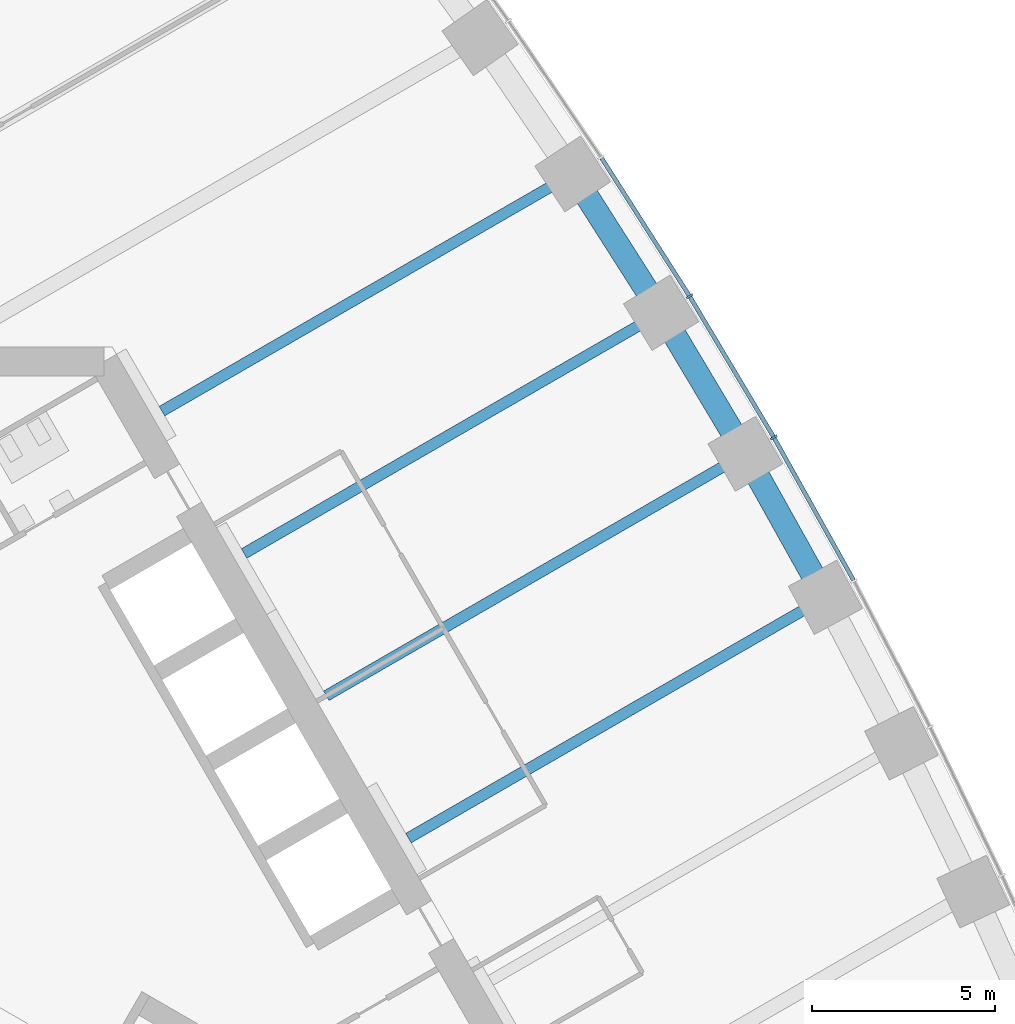
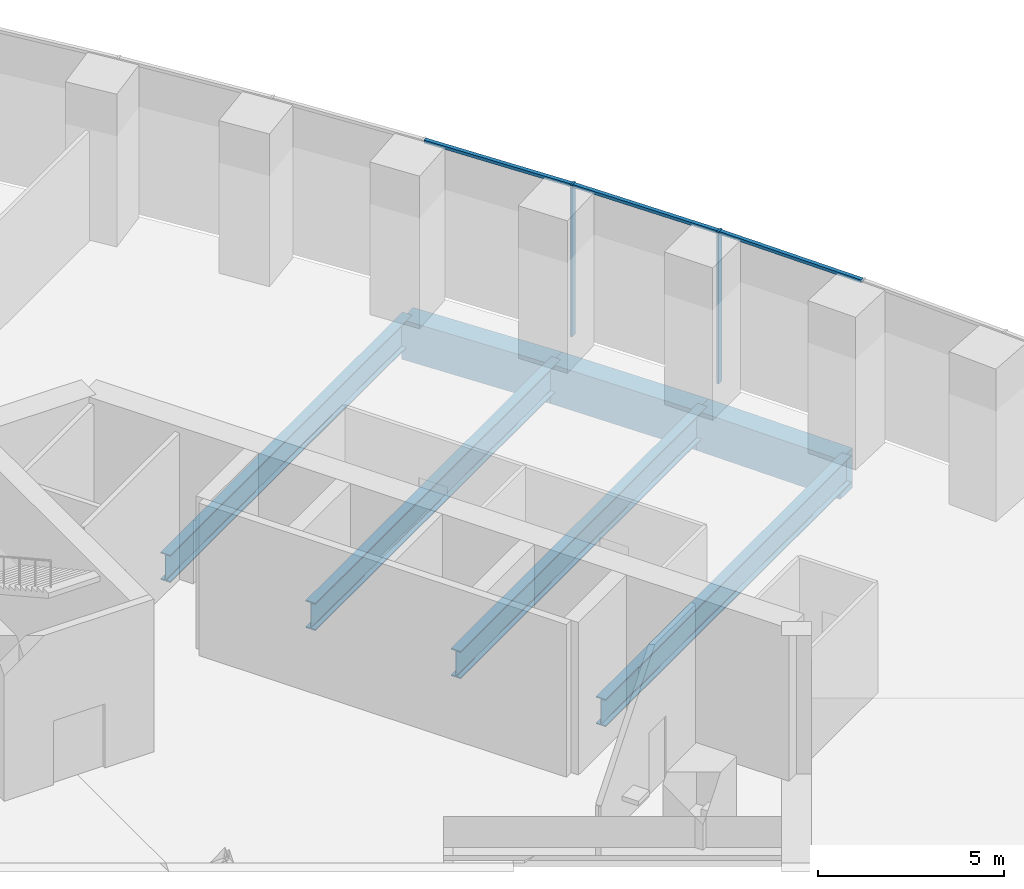
# One storey, part 9 of 21: 7 beams, 5 members, 1 element without a shape of its own.
"""IFC4 building model written with IfcOpenShell, lengths in metres."""

from ifc_helpers import new_model, si_unit, direction, frame, origin, origin_2d, place, context, subcontext, project, spatial, rectangle, i_section, extrude, material, material_profile, profile_set, type_object, element, aggregate, save


model = new_model("IFC4")

# Units and contexts
model_context = context("Model", 3, precision=1e-05, world=origin(), true_north=direction((0.0, 1.0)))
body_context = subcontext(model_context, "Body", "Model", "MODEL_VIEW")
ifc_project = project(units=[si_unit("LENGTHUNIT", "METRE"), si_unit("AREAUNIT", "SQUARE_METRE"), si_unit("VOLUMEUNIT", "CUBIC_METRE"), si_unit("PLANEANGLEUNIT", "RADIAN"), si_unit("MASSUNIT", "GRAM", prefix="KILO")], contexts=[model_context])

# Site, building, storey
site_placement = place(None, origin())
site = spatial("IfcSite", under=ifc_project, at=site_placement, CompositionType="ELEMENT")
building_placement = place(site_placement, origin())
building = spatial("IfcBuilding", under=site, at=building_placement, Name="Trefoil Bronze Tower", CompositionType="ELEMENT")
storey_placement = place(building_placement, frame((0.0, 0.0, 11.5)))
storey = spatial("IfcBuildingStorey", under=building, at=storey_placement, Name="L02", CompositionType="ELEMENT", Elevation=11.5)

# Curtain wall, members
ifc_material_1 = material(Name="Tinted solar-control glass", Category="glass")
curtain_wall_type = type_object("IfcCurtainWallType", Name="Bronze podium storefront curtain wall", PredefinedType="USERDEFINED", material=ifc_material_1)
curtain_wall_placement = place(storey_placement, origin())
curtain_wall = element("IfcCurtainWall", 1, at=curtain_wall_placement, inside=storey, type_object=curtain_wall_type, Name="CW-C L02 F2", ObjectType="CURTAIN WALL", PredefinedType="USERDEFINED")
ifc_material_2 = material(Name="Bronze-finish aluminium", Category="aluminium")
ifc_material_profile_1 = material_profile(ifc_material_2, rectangle(XDim=0.199951171875, YDim=0.06005859375, at=origin_2d()), Name="CW-C mullion")
ifc_profile_set_1 = profile_set([ifc_material_profile_1], Name="Bronze-finish aluminium")
member_type_1 = type_object("IfcMemberType", Name="Bronze podium storefront curtain wall mullion", PredefinedType="MULLION", material=ifc_profile_set_1)
member_1_placement = place(storey_placement, frame((24.11767578125, 13.92431640625, 0.0), z_axis=(0.0, 0.0, 1.0), x_axis=(-0.866025403784, -0.5, 0.0)))
member_1 = element("IfcMember", 2, at=member_1_placement, type_object=member_type_1, Name="CW-C L02 F2 mullion 9", PredefinedType="MULLION", context=body_context, shape_type="SweptSolid", body=[
    extrude(rectangle(XDim=0.199951171875, YDim=0.06005859375, at=origin_2d()), origin(), (0.0, 0.0, 1.0), 4.97998046875),
])
member_2_placement = place(storey_placement, frame((21.8095703125, 17.791259765625, 0.0), z_axis=(0.0, 0.0, 1.0), x_axis=(-0.851149783004, -0.524922896141, 0.0)))
member_2 = element("IfcMember", 3, at=member_2_placement, type_object=member_type_1, Name="CW-C L02 F2 mullion 10", PredefinedType="MULLION", context=body_context, shape_type="SweptSolid", body=[
    extrude(rectangle(XDim=0.199951171875, YDim=0.06005859375, at=origin_2d()), origin(), (0.0, 0.0, 1.0), 4.97998046875),
])
ifc_material_3 = material(Name="Bronze-finish aluminium", Category="aluminium")
ifc_material_profile_2 = material_profile(ifc_material_3, rectangle(XDim=0.1201171875, YDim=0.10009765625, at=origin_2d()), Name="CW-C transom")
ifc_profile_set_2 = profile_set([ifc_material_profile_2], Name="Bronze-finish aluminium")
member_type_2 = type_object("IfcMemberType", Name="Bronze podium storefront curtain wall transom", PredefinedType="USERDEFINED", material=ifc_profile_set_2)
member_3_placement = place(storey_placement, frame((26.297119140625, 10.01953125, 4.929931640625), z_axis=(-0.487350560486, 0.873206408127, 0.0), x_axis=(-0.873206408127, -0.487350560486, 0.0)))
member_3 = element("IfcMember", 4, at=member_3_placement, type_object=member_type_2, Name="CW-C L02 F2 transom 8", ObjectType="TRANSOM", PredefinedType="USERDEFINED", context=body_context, shape_type="SweptSolid", body=[
    extrude(rectangle(XDim=0.1201171875, YDim=0.10009765625, at=origin_2d()), origin(), (0.0, 0.0, 1.0), 4.4404296875),
])
member_4_placement = place(storey_placement, frame((24.1015625, 13.951416015625, 4.929931640625), z_axis=(-0.512521589617, 0.858674338837, 0.0), x_axis=(-0.858674338837, -0.512521589617, 0.0)))
member_4 = element("IfcMember", 5, at=member_4_placement, type_object=member_type_2, Name="CW-C L02 F2 transom 9", ObjectType="TRANSOM", PredefinedType="USERDEFINED", context=body_context, shape_type="SweptSolid", body=[
    extrude(rectangle(XDim=0.1201171875, YDim=0.10009765625, at=origin_2d()), origin(), (0.0, 0.0, 1.0), 4.440673828125),
])
member_5_placement = place(storey_placement, frame((21.792724609375, 17.81787109375, 4.929931640625), z_axis=(-0.537198916648, 0.84345558505, 0.0), x_axis=(-0.84345558505, -0.537198916648, 0.0)))
member_5 = element("IfcMember", 6, at=member_5_placement, type_object=member_type_2, Name="CW-C L02 F2 transom 10", ObjectType="TRANSOM", PredefinedType="USERDEFINED", context=body_context, shape_type="SweptSolid", body=[
    extrude(rectangle(XDim=0.1201171875, YDim=0.10009765625, at=origin_2d()), origin(), (0.0, 0.0, 1.0), 4.4443359375),
])
aggregate(curtain_wall, [member_1, member_2, member_3, member_4, member_5])

# Beams
ifc_material_4 = material(Name="Steel C355", Category="steel")
ifc_material_profile_3 = material_profile(ifc_material_4, i_section(OverallWidth=0.300048828125, OverallDepth=0.89990234375, WebThickness=0.0185546875, FlangeThickness=0.034912109375, FilletRadius=0.030029296875, at=origin_2d()), Name="HEB 900")
ifc_profile_set_3 = profile_set([ifc_material_profile_3], Name="Steel C355")
beam_type_1 = type_object("IfcBeamType", Name="Floor beam HEB 900", PredefinedType="BEAM", material=ifc_profile_set_3)
beam_1_placement = place(storey_placement, frame((25.531494140625, 9.54443359375, -0.64990234375), z_axis=(-0.866027071639, -0.499997111179, 0.0), x_axis=(0.499997111179, -0.866027071639, 0.0)))
element("IfcBeam", 7, at=beam_1_placement, inside=storey, type_object=beam_type_1, Name="Floor beam F2/-1 L02", PredefinedType="BEAM", context=body_context, shape_type="SweptSolid", body=[
    extrude(i_section(OverallWidth=0.300048828125, OverallDepth=0.89990234375, WebThickness=0.0185546875, FlangeThickness=0.034912109375, FilletRadius=0.030029296875, at=origin_2d()), origin(), (0.0, 0.0, 1.0), 13.18310546875),
])
beam_2_placement = place(storey_placement, frame((23.33837890625, 13.474365234375, -0.64990234375), z_axis=(-0.866031233401, -0.499989902672, 0.0), x_axis=(0.499989902672, -0.866031233401, 0.0)))
element("IfcBeam", 8, at=beam_2_placement, inside=storey, type_object=beam_type_1, Name="Floor beam F2/+0 L02", PredefinedType="BEAM", context=body_context, shape_type="SweptSolid", body=[
    extrude(i_section(OverallWidth=0.300048828125, OverallDepth=0.89990234375, WebThickness=0.0185546875, FlangeThickness=0.034912109375, FilletRadius=0.030029296875, at=origin_2d()), origin(), (0.0, 0.0, 1.0), 13.248779296875),
])
beam_3_placement = place(storey_placement, frame((21.031494140625, 17.338623046875, -0.64990234375), z_axis=(-0.866027071639, -0.499997111179, 0.0), x_axis=(0.499997111179, -0.866027071639, 0.0)))
element("IfcBeam", 9, at=beam_3_placement, inside=storey, type_object=beam_type_1, Name="Floor beam F2/+1 L02", PredefinedType="BEAM", context=body_context, shape_type="SweptSolid", body=[
    extrude(i_section(OverallWidth=0.300048828125, OverallDepth=0.89990234375, WebThickness=0.0185546875, FlangeThickness=0.034912109375, FilletRadius=0.030029296875, at=origin_2d()), origin(), (0.0, 0.0, 1.0), 13.18310546875),
])
beam_4_placement = place(storey_placement, frame((18.61083984375, 21.13720703125, -0.64990234375), z_axis=(-0.866030615021, -0.499990973765, 0.0), x_axis=(0.499990973765, -0.866030615021, 0.0)))
element("IfcBeam", 10, at=beam_4_placement, inside=storey, type_object=beam_type_1, Name="Floor beam F2/+2 L02", PredefinedType="BEAM", context=body_context, shape_type="SweptSolid", body=[
    extrude(i_section(OverallWidth=0.300048828125, OverallDepth=0.89990234375, WebThickness=0.0185546875, FlangeThickness=0.034912109375, FilletRadius=0.030029296875, at=origin_2d()), origin(), (0.0, 0.0, 1.0), 12.986083984375),
])
ifc_material_5 = material(Name="Concrete B80", Category="concrete")
ifc_material_profile_4 = material_profile(ifc_material_5, rectangle(XDim=0.64990234375, YDim=1.300048828125, at=origin_2d()), Name="RC 650x1300")
ifc_profile_set_4 = profile_set([ifc_material_profile_4], Name="Concrete B80")
beam_type_2 = type_object("IfcBeamType", Name="Spandrel beam RC 650x1300", PredefinedType="SPANDREL", material=ifc_profile_set_4)
for number, where, z_axis, x_axis, name in (
    (11, (25.531494140625, 9.54443359375, -0.85009765625), (-0.487309404804, 0.873229376504, 0.0), (-0.873229376504, -0.487309404804, 0.0), "Spandrel F2.8 L02"),
    (12, (23.33837890625, 13.474365234375, -0.85009765625), (-0.512587831591, 0.858634797166, 0.0), (-0.858634797166, -0.512587831591, 0.0), "Spandrel F2.9 L02"),
):
    element("IfcBeam", number, at=place(storey_placement, frame(where, z_axis=z_axis, x_axis=x_axis)), inside=storey, type_object=beam_type_2, Name=name, PredefinedType="SPANDREL", context=body_context, shape_type="SweptSolid", body=[
        extrude(rectangle(XDim=0.64990234375, YDim=1.300048828125, at=origin_2d()), origin(), (0.0, 0.0, 1.0), 4.50048828125),
    ])
beam_5_placement = place(storey_placement, frame((21.031494140625, 17.338623046875, -0.85009765625), z_axis=(-0.537408473305, 0.843322081307, 0.0), x_axis=(-0.843322081307, -0.537408473305, 0.0)))
element("IfcBeam", 13, at=beam_5_placement, inside=storey, type_object=beam_type_2, Name="Spandrel F2.10 L02", PredefinedType="SPANDREL", context=body_context, shape_type="SweptSolid", body=[
    extrude(rectangle(XDim=0.64990234375, YDim=1.300048828125, at=origin_2d()), origin(), (0.0, 0.0, 1.0), 4.50439453125),
])

save(model, "model.ifc")
